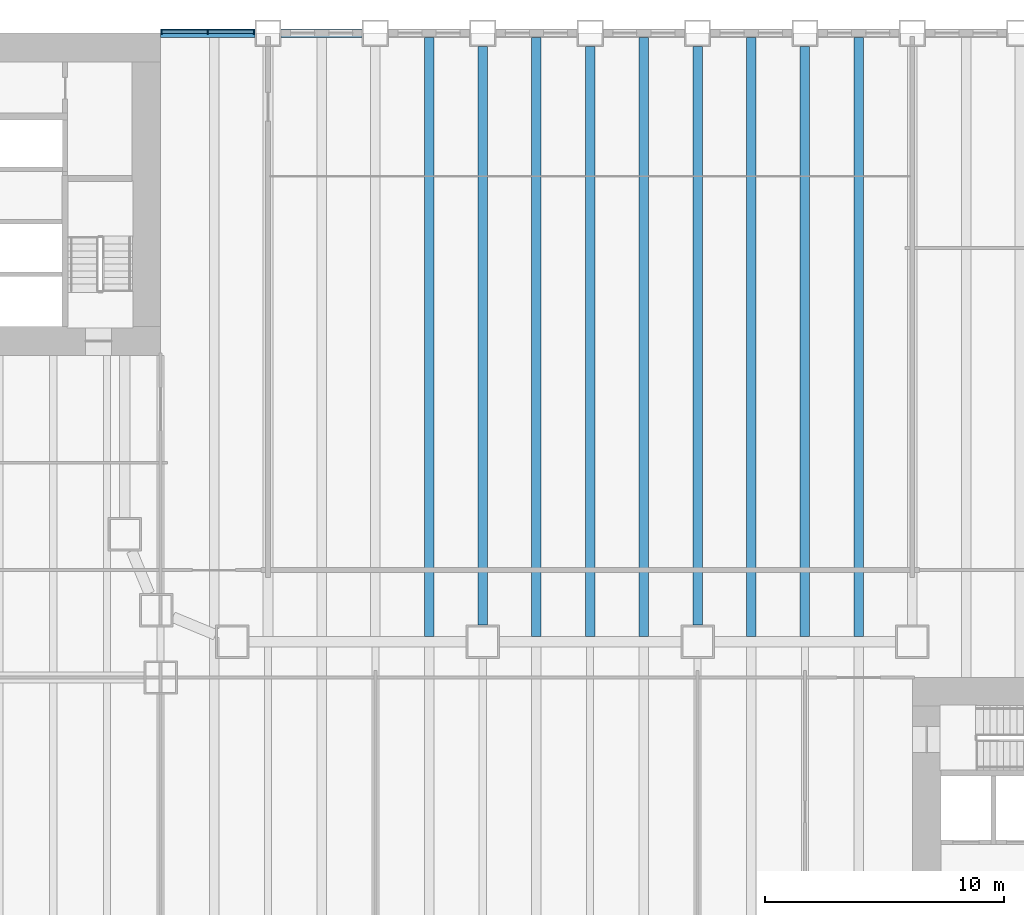
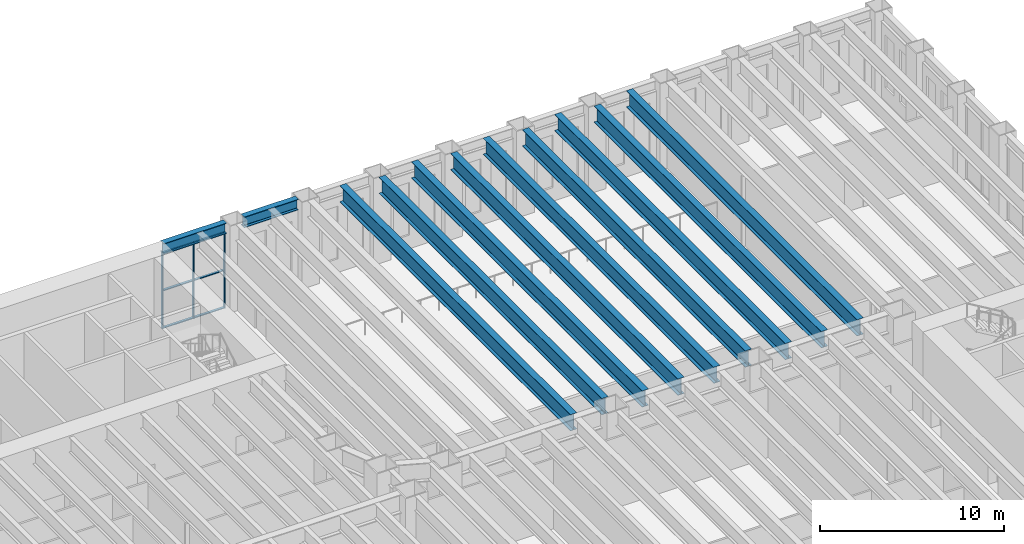
# One storey, part 2 of 19: 11 beams, 9 members, 1 element without a shape of its own.
"""IFC4 building model written with IfcOpenShell, lengths in metres."""

from ifc_helpers import new_model, si_unit, direction, frame, origin, origin_2d, place, context, subcontext, project, spatial, rectangle, i_section, extrude, material, material_profile, profile_set, type_object, element, aggregate, save


model = new_model("IFC4")

# Units and contexts
model_context = context("Model", 3, precision=1e-05, world=origin(), true_north=direction((0.0, 1.0)))
body_context = subcontext(model_context, "Body", "Model", "MODEL_VIEW")
ifc_project = project(units=[si_unit("LENGTHUNIT", "METRE"), si_unit("AREAUNIT", "SQUARE_METRE"), si_unit("VOLUMEUNIT", "CUBIC_METRE"), si_unit("PLANEANGLEUNIT", "RADIAN"), si_unit("MASSUNIT", "GRAM", prefix="KILO")], contexts=[model_context])

# Site, building, storey
site_placement = place(None, origin())
site = spatial("IfcSite", under=ifc_project, at=site_placement, CompositionType="ELEMENT")
building_placement = place(site_placement, origin())
building = spatial("IfcBuilding", under=site, at=building_placement, Name="Sennacour Bend Tower", CompositionType="ELEMENT")
storey_placement = place(building_placement, frame((0.0, 0.0, 8.0)))
storey = spatial("IfcBuildingStorey", under=building, at=storey_placement, Name="L01", CompositionType="ELEMENT", Elevation=8.0)

# Curtain wall, members
ifc_material_1 = material(Name="Bronze anodised aluminium curtain wall with clear glass", Category="aluminium")
curtain_wall_type = type_object("IfcCurtainWallType", Name="CURTAIN WALL NOTCH", PredefinedType="NOTDEFINED", material=ifc_material_1)
curtain_wall_placement = place(storey_placement, origin())
curtain_wall = element("IfcCurtainWall", 1, at=curtain_wall_placement, inside=storey, type_object=curtain_wall_type, Name="Podium glass wall L01", PredefinedType="NOTDEFINED")
ifc_material_2 = material(Name="Aluminium 6063-T6", Category="aluminium")
ifc_material_profile_1 = material_profile(ifc_material_2, rectangle(XDim=0.199951171875, YDim=0.06005859375, at=origin_2d()), Name="Aluminium 6063-T6", Category="aluminium")
ifc_profile_set_1 = profile_set([ifc_material_profile_1], Name="Aluminium 6063-T6")
member_type_1 = type_object("IfcMemberType", Name="CW-MULLION-200X60", PredefinedType="MULLION", material=ifc_profile_set_1)
member_1_placement = place(storey_placement, frame((26.419921875, 49.550048828125, 0.0), z_axis=(0.0, 0.0, 1.0), x_axis=(0.0, -1.0, 0.0)))
member_1 = element("IfcMember", 2, at=member_1_placement, type_object=member_type_1, Name="GW2 curtain wall mullion 1", PredefinedType="MULLION", context=body_context, shape_type="SweptSolid", body=[
    extrude(rectangle(XDim=0.199951171875, YDim=0.06005859375, at=origin_2d()), origin(), (0.0, 0.0, 1.0), 5.035888671875),
])
member_2_placement = place(storey_placement, frame((24.4755859375, 49.550048828125, 0.0), z_axis=(0.0, 0.0, 1.0), x_axis=(0.0, -1.0, 0.0)))
member_2 = element("IfcMember", 3, at=member_2_placement, type_object=member_type_1, Name="GW2 curtain wall mullion 2", PredefinedType="MULLION", context=body_context, shape_type="SweptSolid", body=[
    extrude(rectangle(XDim=0.199951171875, YDim=0.06005859375, at=origin_2d()), origin(), (0.0, 0.0, 1.0), 5.035888671875),
])
member_3_placement = place(storey_placement, frame((22.531005859375, 49.550048828125, 0.0), z_axis=(0.0, 0.0, 1.0), x_axis=(0.0, -1.0, 0.0)))
member_3 = element("IfcMember", 4, at=member_3_placement, type_object=member_type_1, Name="GW2 curtain wall mullion 3", PredefinedType="MULLION", context=body_context, shape_type="SweptSolid", body=[
    extrude(rectangle(XDim=0.199951171875, YDim=0.06005859375, at=origin_2d()), origin(), (0.0, 0.0, 1.0), 5.035888671875),
])
ifc_material_profile_2 = material_profile(ifc_material_2, rectangle(XDim=0.14990234375, YDim=0.06005859375, at=origin_2d()), Name="Aluminium 6063-T6", Category="aluminium")
ifc_profile_set_2 = profile_set([ifc_material_profile_2], Name="Aluminium 6063-T6")
member_type_2 = type_object("IfcMemberType", Name="CW-TRANSOM-150X60", PredefinedType="USERDEFINED", material=ifc_profile_set_2)
member_4_placement = place(storey_placement, frame((26.389892578125, 49.550048828125, 0.030029296875), z_axis=(-1.0, 0.0, 0.0), x_axis=(0.0, -1.0, 0.0)))
member_4 = element("IfcMember", 5, at=member_4_placement, type_object=member_type_2, Name="GW2 curtain wall transom 1.1", ObjectType="TRANSOM", PredefinedType="USERDEFINED", context=body_context, shape_type="SweptSolid", body=[
    extrude(rectangle(XDim=0.14990234375, YDim=0.06005859375, at=origin_2d()), origin(), (0.0, 0.0, 1.0), 1.88427734375),
])
member_5_placement = place(storey_placement, frame((26.389892578125, 49.550048828125, 2.51806640625), z_axis=(-1.0, 0.0, 0.0), x_axis=(0.0, -1.0, 0.0)))
member_5 = element("IfcMember", 6, at=member_5_placement, type_object=member_type_2, Name="GW2 curtain wall transom 1.2", ObjectType="TRANSOM", PredefinedType="USERDEFINED", context=body_context, shape_type="SweptSolid", body=[
    extrude(rectangle(XDim=0.14990234375, YDim=0.06005859375, at=origin_2d()), origin(), (0.0, 0.0, 1.0), 1.88427734375),
])
member_6_placement = place(storey_placement, frame((26.389892578125, 49.550048828125, 5.006103515625), z_axis=(-1.0, 0.0, 0.0), x_axis=(0.0, -1.0, 0.0)))
member_6 = element("IfcMember", 7, at=member_6_placement, type_object=member_type_2, Name="GW2 curtain wall transom 1.3", ObjectType="TRANSOM", PredefinedType="USERDEFINED", context=body_context, shape_type="SweptSolid", body=[
    extrude(rectangle(XDim=0.14990234375, YDim=0.06005859375, at=origin_2d()), origin(), (0.0, 0.0, 1.0), 1.88427734375),
])
member_7_placement = place(storey_placement, frame((24.445556640625, 49.550048828125, 0.030029296875), z_axis=(-1.0, 0.0, 0.0), x_axis=(0.0, -1.0, 0.0)))
member_7 = element("IfcMember", 8, at=member_7_placement, type_object=member_type_2, Name="GW2 curtain wall transom 2.1", ObjectType="TRANSOM", PredefinedType="USERDEFINED", context=body_context, shape_type="SweptSolid", body=[
    extrude(rectangle(XDim=0.14990234375, YDim=0.06005859375, at=origin_2d()), origin(), (0.0, 0.0, 1.0), 1.884521484375),
])
member_8_placement = place(storey_placement, frame((24.445556640625, 49.550048828125, 2.51806640625), z_axis=(-1.0, 0.0, 0.0), x_axis=(0.0, -1.0, 0.0)))
member_8 = element("IfcMember", 9, at=member_8_placement, type_object=member_type_2, Name="GW2 curtain wall transom 2.2", ObjectType="TRANSOM", PredefinedType="USERDEFINED", context=body_context, shape_type="SweptSolid", body=[
    extrude(rectangle(XDim=0.14990234375, YDim=0.06005859375, at=origin_2d()), origin(), (0.0, 0.0, 1.0), 1.884521484375),
])
member_9_placement = place(storey_placement, frame((24.445556640625, 49.550048828125, 5.006103515625), z_axis=(-1.0, 0.0, 0.0), x_axis=(0.0, -1.0, 0.0)))
member_9 = element("IfcMember", 10, at=member_9_placement, type_object=member_type_2, Name="GW2 curtain wall transom 2.3", ObjectType="TRANSOM", PredefinedType="USERDEFINED", context=body_context, shape_type="SweptSolid", body=[
    extrude(rectangle(XDim=0.14990234375, YDim=0.06005859375, at=origin_2d()), origin(), (0.0, 0.0, 1.0), 1.884521484375),
])
aggregate(curtain_wall, [member_1, member_2, member_3, member_4, member_5, member_6, member_7, member_8, member_9])

# Beams
ifc_material_3 = material(Name="Steel ASTM A992 Grade 50", Category="steel")
ifc_material_profile_3 = material_profile(ifc_material_3, i_section(OverallWidth=0.40087890625, OverallDepth=1.090087890625, WebThickness=0.01806640625, FlangeThickness=0.031005859375, FilletRadius=0.02001953125, at=origin_2d()), Name="Steel ASTM A992 Grade 50", Category="steel")
ifc_profile_set_3 = profile_set([ifc_material_profile_3], Name="Steel ASTM A992 Grade 50")
beam_type_1 = type_object("IfcBeamType", Name="Notch floor beam W1100X343", PredefinedType="BEAM", material=ifc_profile_set_3)
beam_1_placement = place(storey_placement, frame((33.75, 24.22509765625, 5.205078125), z_axis=(0.0, 1.0, 0.0), x_axis=(-1.0, 0.0, 0.0)))
element("IfcBeam", 11, at=beam_1_placement, inside=storey, type_object=beam_type_1, Name="Floor beam FBM4 L02-031", PredefinedType="BEAM", context=body_context, shape_type="SweptSolid", body=[
    extrude(i_section(OverallWidth=0.40087890625, OverallDepth=1.090087890625, WebThickness=0.01806640625, FlangeThickness=0.031005859375, FilletRadius=0.02001953125, at=origin_2d()), origin(), (0.0, 0.0, 1.0), 25.096923828125),
])
beam_2_placement = place(storey_placement, frame((36.0, 24.699951171875, 5.205078125), z_axis=(0.0, 1.0, 0.0), x_axis=(-1.0, 0.0, 0.0)))
element("IfcBeam", 12, at=beam_2_placement, inside=storey, type_object=beam_type_1, Name="Floor beam FBM4 L02-033", PredefinedType="BEAM", context=body_context, shape_type="SweptSolid", body=[
    extrude(i_section(OverallWidth=0.40087890625, OverallDepth=1.090087890625, WebThickness=0.01806640625, FlangeThickness=0.031005859375, FilletRadius=0.02001953125, at=origin_2d()), origin(), (0.0, 0.0, 1.0), 24.25),
])
beam_3_placement = place(storey_placement, frame((38.25, 24.22509765625, 5.205078125), z_axis=(0.0, 1.0, 0.0), x_axis=(-1.0, 0.0, 0.0)))
element("IfcBeam", 13, at=beam_3_placement, inside=storey, type_object=beam_type_1, Name="Floor beam FBM4 L02-035", PredefinedType="BEAM", context=body_context, shape_type="SweptSolid", body=[
    extrude(i_section(OverallWidth=0.40087890625, OverallDepth=1.090087890625, WebThickness=0.01806640625, FlangeThickness=0.031005859375, FilletRadius=0.02001953125, at=origin_2d()), origin(), (0.0, 0.0, 1.0), 25.096923828125),
])
beam_4_placement = place(storey_placement, frame((40.5, 24.22509765625, 5.205078125), z_axis=(0.0, 1.0, 0.0), x_axis=(-1.0, 0.0, 0.0)))
element("IfcBeam", 14, at=beam_4_placement, inside=storey, type_object=beam_type_1, Name="Floor beam FBM4 L02-037", PredefinedType="BEAM", context=body_context, shape_type="SweptSolid", body=[
    extrude(i_section(OverallWidth=0.40087890625, OverallDepth=1.090087890625, WebThickness=0.01806640625, FlangeThickness=0.031005859375, FilletRadius=0.02001953125, at=origin_2d()), origin(), (0.0, 0.0, 1.0), 24.724853515625),
])
beam_5_placement = place(storey_placement, frame((42.75, 24.22509765625, 5.205078125), z_axis=(0.0, 1.0, 0.0), x_axis=(-1.0, 0.0, 0.0)))
element("IfcBeam", 15, at=beam_5_placement, inside=storey, type_object=beam_type_1, Name="Floor beam FBM4 L02-039", PredefinedType="BEAM", context=body_context, shape_type="SweptSolid", body=[
    extrude(i_section(OverallWidth=0.40087890625, OverallDepth=1.090087890625, WebThickness=0.01806640625, FlangeThickness=0.031005859375, FilletRadius=0.02001953125, at=origin_2d()), origin(), (0.0, 0.0, 1.0), 25.096923828125),
])
beam_6_placement = place(storey_placement, frame((45.0, 24.699951171875, 5.205078125), z_axis=(0.0, 1.0, 0.0), x_axis=(-1.0, 0.0, 0.0)))
element("IfcBeam", 16, at=beam_6_placement, inside=storey, type_object=beam_type_1, Name="Floor beam FBM4 L02-041", PredefinedType="BEAM", context=body_context, shape_type="SweptSolid", body=[
    extrude(i_section(OverallWidth=0.40087890625, OverallDepth=1.090087890625, WebThickness=0.01806640625, FlangeThickness=0.031005859375, FilletRadius=0.02001953125, at=origin_2d()), origin(), (0.0, 0.0, 1.0), 24.25),
])
beam_7_placement = place(storey_placement, frame((47.25, 24.22509765625, 5.205078125), z_axis=(0.0, 1.0, 0.0), x_axis=(-1.0, 0.0, 0.0)))
element("IfcBeam", 17, at=beam_7_placement, inside=storey, type_object=beam_type_1, Name="Floor beam FBM4 L02-043", PredefinedType="BEAM", context=body_context, shape_type="SweptSolid", body=[
    extrude(i_section(OverallWidth=0.40087890625, OverallDepth=1.090087890625, WebThickness=0.01806640625, FlangeThickness=0.031005859375, FilletRadius=0.02001953125, at=origin_2d()), origin(), (0.0, 0.0, 1.0), 25.096923828125),
])
beam_8_placement = place(storey_placement, frame((49.5, 24.22509765625, 5.205078125), z_axis=(0.0, 1.0, 0.0), x_axis=(-1.0, 0.0, 0.0)))
element("IfcBeam", 18, at=beam_8_placement, inside=storey, type_object=beam_type_1, Name="Floor beam FBM4 L02-045", PredefinedType="BEAM", context=body_context, shape_type="SweptSolid", body=[
    extrude(i_section(OverallWidth=0.40087890625, OverallDepth=1.090087890625, WebThickness=0.01806640625, FlangeThickness=0.031005859375, FilletRadius=0.02001953125, at=origin_2d()), origin(), (0.0, 0.0, 1.0), 24.724853515625),
])
beam_9_placement = place(storey_placement, frame((51.75, 24.22509765625, 5.205078125), z_axis=(0.0, 1.0, 0.0), x_axis=(-1.0, 0.0, 0.0)))
element("IfcBeam", 19, at=beam_9_placement, inside=storey, type_object=beam_type_1, Name="Floor beam FBM4 L02-047", PredefinedType="BEAM", context=body_context, shape_type="SweptSolid", body=[
    extrude(i_section(OverallWidth=0.40087890625, OverallDepth=1.090087890625, WebThickness=0.01806640625, FlangeThickness=0.031005859375, FilletRadius=0.02001953125, at=origin_2d()), origin(), (0.0, 0.0, 1.0), 25.096923828125),
])
ifc_material_profile_4 = material_profile(ifc_material_3, i_section(OverallWidth=0.35595703125, OverallDepth=0.714111328125, WebThickness=0.01904296875, FlangeThickness=0.033935546875, FilletRadius=0.02001953125, at=origin_2d()), Name="Steel ASTM A992 Grade 50", Category="steel")
ifc_profile_set_4 = profile_set([ifc_material_profile_4], Name="Steel ASTM A992 Grade 50")
beam_type_2 = type_object("IfcBeamType", Name="Spandrel beam W690X289", PredefinedType="SPANDREL", material=ifc_profile_set_4)
beam_10_placement = place(storey_placement, frame((30.949951171875, 49.5, 5.39306640625), z_axis=(-1.0, 0.0, 0.0), x_axis=(0.0, -1.0, 0.0)))
element("IfcBeam", 20, at=beam_10_placement, inside=storey, type_object=beam_type_2, Name="Spandrel beam SP1 L02-014", PredefinedType="SPANDREL", context=body_context, shape_type="SweptSolid", body=[
    extrude(i_section(OverallWidth=0.35595703125, OverallDepth=0.714111328125, WebThickness=0.01904296875, FlangeThickness=0.033935546875, FilletRadius=0.02001953125, at=origin_2d()), origin(), (0.0, 0.0, 1.0), 3.39990234375),
])
beam_11_placement = place(storey_placement, frame((26.449951171875, 49.5, 5.39306640625), z_axis=(-1.0, 0.0, 0.0), x_axis=(0.0, -1.0, 0.0)))
element("IfcBeam", 21, at=beam_11_placement, inside=storey, type_object=beam_type_2, Name="Spandrel beam SP1 L02-015", PredefinedType="SPANDREL", context=body_context, shape_type="SweptSolid", body=[
    extrude(i_section(OverallWidth=0.35595703125, OverallDepth=0.714111328125, WebThickness=0.01904296875, FlangeThickness=0.033935546875, FilletRadius=0.02001953125, at=origin_2d()), origin(), (0.0, 0.0, 1.0), 3.949951171875),
])

save(model, "model.ifc")
